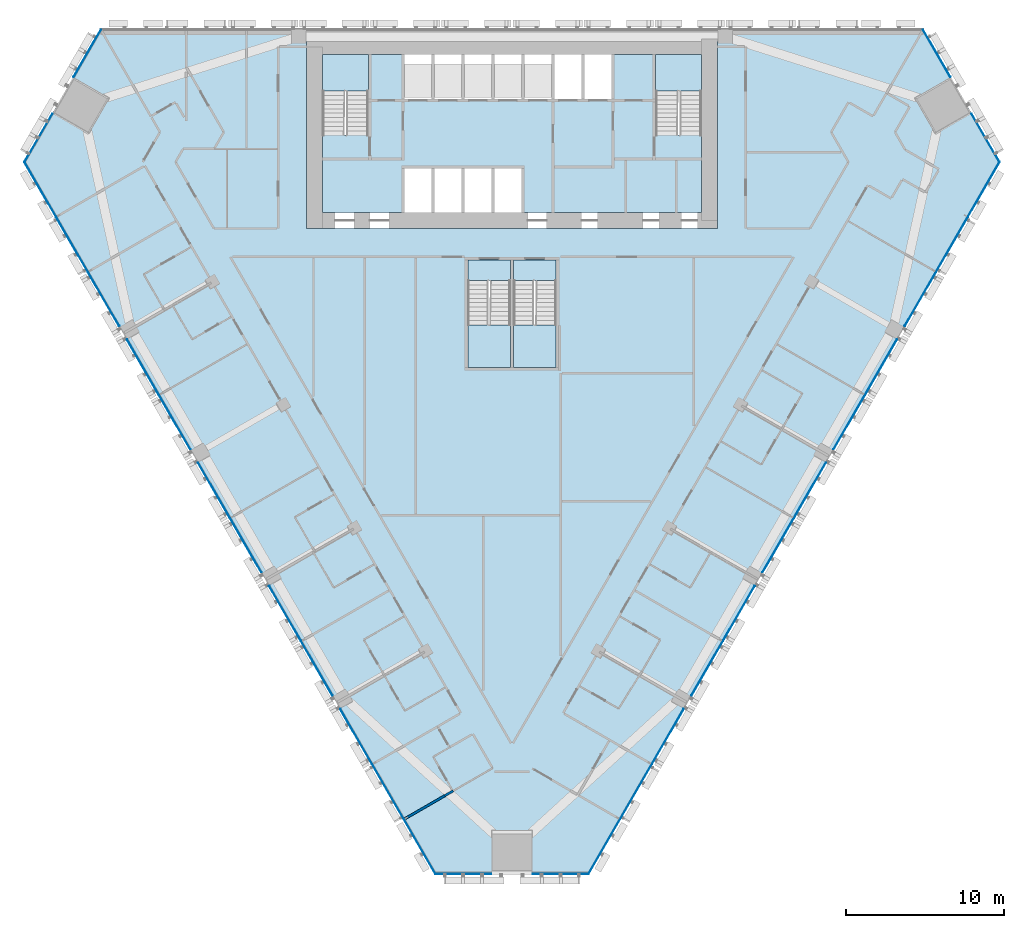
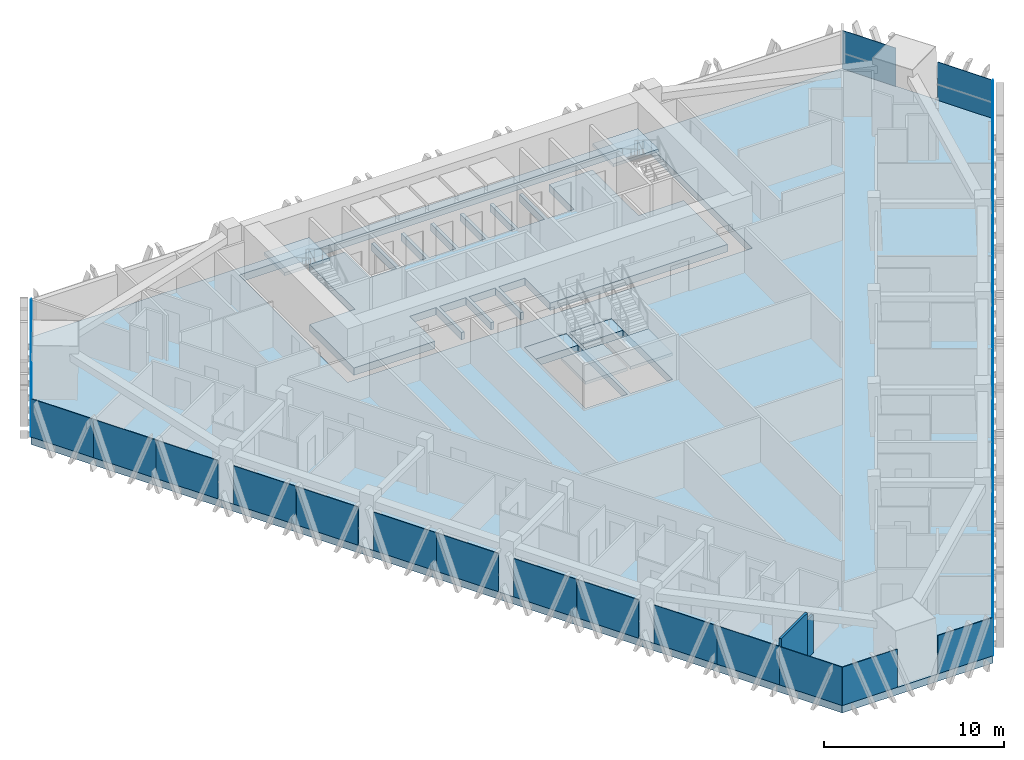
# One storey, part 9 of 18: 30 plates, 8 slabs, 2 walls, 9 elements without a shape of their own.
"""IFC4 building model written with IfcOpenShell, lengths in metres."""

from ifc_helpers import new_model, si_unit, direction, frame, frame_2d, origin, origin_2d, place, context, subcontext, project, spatial, polyline, rectangle, outline, extrude, material, layer, layer_set, type_object, element, aggregate, save


model = new_model("IFC4")

# Units and contexts
model_context = context("Model", 3, precision=1e-05, world=origin(), true_north=direction((0.0, 1.0)))
body_context = subcontext(model_context, "Body", "Model", "MODEL_VIEW")
ifc_project = project(units=[si_unit("LENGTHUNIT", "METRE"), si_unit("AREAUNIT", "SQUARE_METRE"), si_unit("VOLUMEUNIT", "CUBIC_METRE"), si_unit("PLANEANGLEUNIT", "RADIAN"), si_unit("MASSUNIT", "GRAM", prefix="KILO")], contexts=[model_context])

# Site, building, storey
site_placement = place(None, origin())
site = spatial("IfcSite", under=ifc_project, at=site_placement, CompositionType="ELEMENT")
building_placement = place(site_placement, origin())
building = spatial("IfcBuilding", under=site, at=building_placement, Name="Altiplano Prism Tower", CompositionType="ELEMENT")
storey_placement = place(building_placement, frame((0.0, 0.0, 41.39990234375)))
storey = spatial("IfcBuildingStorey", under=building, at=storey_placement, Name="L09", CompositionType="ELEMENT", Elevation=41.39990234375)

# Curtain wall, plates
ifc_material_1 = material(Name="Aluminium and glass", Category="aluminium")
ifc_layer_1 = layer(ifc_material_1, 0.280029296875)
ifc_layer_set_1 = layer_set([ifc_layer_1], Name="Aluminium and glass")
curtain_wall_type = type_object("IfcCurtainWallType", Name="CW1 typical co-living unitised curtain wall", PredefinedType="NOTDEFINED", material=ifc_layer_set_1)
curtain_wall_1_placement = place(storey_placement, origin())
curtain_wall_1 = element("IfcCurtainWall", 1, at=curtain_wall_1_placement, inside=storey, type_object=curtain_wall_type, Name="CW1 curtain wall north-west chamfer L09", PredefinedType="NOTDEFINED")
ifc_material_2 = material(Name="Clear glass", Category="glass")
ifc_layer_2 = layer(ifc_material_2, 0.0400390625)
ifc_layer_set_2 = layer_set([ifc_layer_2], Name="Clear glass")
plate_type = type_object("IfcPlateType", Name="CW1 insulated glass unit 40", PredefinedType="CURTAIN_PANEL", material=ifc_layer_set_2)
plate_1_placement = place(storey_placement, frame((58.10986328125, 103.489013671875, 0.0), z_axis=(0.0, 0.0, 1.0), x_axis=(-0.500000006106, -0.866025400259, 0.0)))
plate_1 = element("IfcPlate", 2, at=plate_1_placement, type_object=plate_type, Name="CW1 panel", PredefinedType="CURTAIN_PANEL", context=body_context, shape_type="SweptSolid", body=[
    extrude(rectangle(XDim=3.4560546875, YDim=0.0400390625, at=origin_2d()), origin(), (0.0, 0.0, 1.0), 2.60009765625),
])
plate_2_placement = place(storey_placement, frame((55.016845703125, 98.1318359375, 0.0), z_axis=(0.0, 0.0, 1.0), x_axis=(-0.500000006106, -0.866025400259, 0.0)))
plate_2 = element("IfcPlate", 3, at=plate_2_placement, type_object=plate_type, Name="CW1 panel", PredefinedType="CURTAIN_PANEL", context=body_context, shape_type="SweptSolid", body=[
    extrude(rectangle(XDim=3.5361328125, YDim=0.0400390625, at=origin_2d()), origin(), (0.0, 0.0, 1.0), 2.60009765625),
])
aggregate(curtain_wall_1, [plate_1, plate_2])

curtain_wall_2_placement = place(storey_placement, origin())
curtain_wall_2 = element("IfcCurtainWall", 4, at=curtain_wall_2_placement, inside=storey, type_object=curtain_wall_type, Name="CW1 curtain wall south-west face L09", PredefinedType="NOTDEFINED")
plate_3_placement = place(storey_placement, frame((55.13525390625, 94.87548828125, 0.0), z_axis=(0.0, 0.0, 1.0), x_axis=(0.500000000348, -0.866025403584, 0.0)))
plate_3 = element("IfcPlate", 5, at=plate_3_placement, type_object=plate_type, Name="CW1 panel", PredefinedType="CURTAIN_PANEL", context=body_context, shape_type="SweptSolid", body=[
    extrude(rectangle(XDim=4.010498046875, YDim=0.0400390625, at=origin_2d()), origin(), (0.0, 0.0, 1.0), 2.60009765625),
])
plate_4_placement = place(storey_placement, frame((57.1455078125, 91.3935546875, 0.0), z_axis=(0.0, 0.0, 1.0), x_axis=(0.500000000348, -0.866025403584, 0.0)))
plate_4 = element("IfcPlate", 6, at=plate_4_placement, type_object=plate_type, Name="CW1 panel", PredefinedType="CURTAIN_PANEL", context=body_context, shape_type="SweptSolid", body=[
    extrude(rectangle(XDim=4.010498046875, YDim=0.0400390625, at=origin_2d()), origin(), (0.0, 0.0, 1.0), 2.60009765625),
])
plate_5_placement = place(storey_placement, frame((59.143310546875, 87.933349609375, 0.0), z_axis=(0.0, 0.0, 1.0), x_axis=(0.500000000348, -0.866025403584, 0.0)))
plate_5 = element("IfcPlate", 7, at=plate_5_placement, type_object=plate_type, Name="CW1 panel", PredefinedType="CURTAIN_PANEL", context=body_context, shape_type="SweptSolid", body=[
    extrude(rectangle(XDim=3.96044921875, YDim=0.0400390625, at=origin_2d()), origin(), (0.0, 0.0, 1.0), 2.60009765625),
])
plate_6_placement = place(storey_placement, frame((61.638427734375, 83.61181640625, 0.0), z_axis=(0.0, 0.0, 1.0), x_axis=(0.500000000348, -0.866025403584, 0.0)))
plate_6 = element("IfcPlate", 8, at=plate_6_placement, type_object=plate_type, Name="CW1 panel", PredefinedType="CURTAIN_PANEL", context=body_context, shape_type="SweptSolid", body=[
    extrude(rectangle(XDim=4.039306640625, YDim=0.0400390625, at=origin_2d()), origin(), (0.0, 0.0, 1.0), 2.60009765625),
])
plate_7_placement = place(storey_placement, frame((63.643310546875, 80.13916015625, 0.0), z_axis=(0.0, 0.0, 1.0), x_axis=(0.500000000348, -0.866025403584, 0.0)))
plate_7 = element("IfcPlate", 9, at=plate_7_placement, type_object=plate_type, Name="CW1 panel", PredefinedType="CURTAIN_PANEL", context=body_context, shape_type="SweptSolid", body=[
    extrude(rectangle(XDim=3.96044921875, YDim=0.0400390625, at=origin_2d()), origin(), (0.0, 0.0, 1.0), 2.60009765625),
])
plate_8_placement = place(storey_placement, frame((66.138427734375, 75.817626953125, 0.0), z_axis=(0.0, 0.0, 1.0), x_axis=(0.500000000348, -0.866025403584, 0.0)))
plate_8 = element("IfcPlate", 10, at=plate_8_placement, type_object=plate_type, Name="CW1 panel", PredefinedType="CURTAIN_PANEL", context=body_context, shape_type="SweptSolid", body=[
    extrude(rectangle(XDim=4.039306640625, YDim=0.0400390625, at=origin_2d()), origin(), (0.0, 0.0, 1.0), 2.60009765625),
])
plate_9_placement = place(storey_placement, frame((68.143310546875, 72.344970703125, 0.0), z_axis=(0.0, 0.0, 1.0), x_axis=(0.500000000348, -0.866025403584, 0.0)))
plate_9 = element("IfcPlate", 11, at=plate_9_placement, type_object=plate_type, Name="CW1 panel", PredefinedType="CURTAIN_PANEL", context=body_context, shape_type="SweptSolid", body=[
    extrude(rectangle(XDim=3.96044921875, YDim=0.0400390625, at=origin_2d()), origin(), (0.0, 0.0, 1.0), 2.60009765625),
])
plate_10_placement = place(storey_placement, frame((70.638427734375, 68.0234375, 0.0), z_axis=(0.0, 0.0, 1.0), x_axis=(0.500000000348, -0.866025403584, 0.0)))
plate_10 = element("IfcPlate", 12, at=plate_10_placement, type_object=plate_type, Name="CW1 panel", PredefinedType="CURTAIN_PANEL", context=body_context, shape_type="SweptSolid", body=[
    extrude(rectangle(XDim=4.039306640625, YDim=0.0400390625, at=origin_2d()), origin(), (0.0, 0.0, 1.0), 2.60009765625),
])
plate_11_placement = place(storey_placement, frame((72.643310546875, 64.55078125, 0.0), z_axis=(0.0, 0.0, 1.0), x_axis=(0.500000000348, -0.866025403584, 0.0)))
plate_11 = element("IfcPlate", 13, at=plate_11_placement, type_object=plate_type, Name="CW1 panel", PredefinedType="CURTAIN_PANEL", context=body_context, shape_type="SweptSolid", body=[
    extrude(rectangle(XDim=3.96044921875, YDim=0.0400390625, at=origin_2d()), origin(), (0.0, 0.0, 1.0), 2.60009765625),
])
plate_12_placement = place(storey_placement, frame((75.138427734375, 60.229248046875, 0.0), z_axis=(0.0, 0.0, 1.0), x_axis=(0.500000000348, -0.866025403584, 0.0)))
plate_12 = element("IfcPlate", 14, at=plate_12_placement, type_object=plate_type, Name="CW1 panel", PredefinedType="CURTAIN_PANEL", context=body_context, shape_type="SweptSolid", body=[
    extrude(rectangle(XDim=4.039306640625, YDim=0.0400390625, at=origin_2d()), origin(), (0.0, 0.0, 1.0), 2.60009765625),
])
plate_13_placement = place(storey_placement, frame((77.15576171875, 56.73486328125, 0.0), z_axis=(0.0, 0.0, 1.0), x_axis=(0.500000000348, -0.866025403584, 0.0)))
plate_13 = element("IfcPlate", 15, at=plate_13_placement, type_object=plate_type, Name="CW1 panel", PredefinedType="CURTAIN_PANEL", context=body_context, shape_type="SweptSolid", body=[
    extrude(rectangle(XDim=4.010498046875, YDim=0.0400390625, at=origin_2d()), origin(), (0.0, 0.0, 1.0), 2.60009765625),
])
plate_14_placement = place(storey_placement, frame((79.166015625, 53.2529296875, 0.0), z_axis=(0.0, 0.0, 1.0), x_axis=(0.500000000348, -0.866025403584, 0.0)))
plate_14 = element("IfcPlate", 16, at=plate_14_placement, type_object=plate_type, Name="CW1 panel", PredefinedType="CURTAIN_PANEL", context=body_context, shape_type="SweptSolid", body=[
    extrude(rectangle(XDim=4.010498046875, YDim=0.0400390625, at=origin_2d()), origin(), (0.0, 0.0, 1.0), 2.60009765625),
])
aggregate(curtain_wall_2, [plate_3, plate_4, plate_5, plate_6, plate_7, plate_8, plate_9, plate_10, plate_11, plate_12, plate_13, plate_14])

curtain_wall_3_placement = place(storey_placement, origin())
curtain_wall_3 = element("IfcCurtainWall", 17, at=curtain_wall_3_placement, inside=storey, type_object=curtain_wall_type, Name="CW1 curtain wall south chamfer L09", PredefinedType="NOTDEFINED")
plate_15_placement = place(storey_placement, frame((81.927001953125, 51.52197265625, 0.0), z_axis=(0.0, 0.0, 1.0), x_axis=(1.0, 0.0, 0.0)))
plate_15 = element("IfcPlate", 18, at=plate_15_placement, type_object=plate_type, Name="CW1 panel", PredefinedType="CURTAIN_PANEL", context=body_context, shape_type="SweptSolid", body=[
    extrude(rectangle(XDim=3.5361328125, YDim=0.0400390625, at=origin_2d()), origin(), (0.0, 0.0, 1.0), 2.60009765625),
])
plate_16_placement = place(storey_placement, frame((88.072998046875, 51.52197265625, 0.0), z_axis=(0.0, 0.0, 1.0), x_axis=(1.0, 0.0, 0.0)))
plate_16 = element("IfcPlate", 19, at=plate_16_placement, type_object=plate_type, Name="CW1 panel", PredefinedType="CURTAIN_PANEL", context=body_context, shape_type="SweptSolid", body=[
    extrude(rectangle(XDim=3.5361328125, YDim=0.0400390625, at=origin_2d()), origin(), (0.0, 0.0, 1.0), 2.60009765625),
])
aggregate(curtain_wall_3, [plate_15, plate_16])

curtain_wall_4_placement = place(storey_placement, origin())
curtain_wall_4 = element("IfcCurtainWall", 20, at=curtain_wall_4_placement, inside=storey, type_object=curtain_wall_type, Name="CW1 curtain wall south-east face L09", PredefinedType="NOTDEFINED")
plate_17_placement = place(storey_placement, frame((90.833984375, 53.2529296875, 0.0), z_axis=(0.0, 0.0, 1.0), x_axis=(0.500000000348, 0.866025403584, 0.0)))
plate_17 = element("IfcPlate", 21, at=plate_17_placement, type_object=plate_type, Name="CW1 panel", PredefinedType="CURTAIN_PANEL", context=body_context, shape_type="SweptSolid", body=[
    extrude(rectangle(XDim=4.010498046875, YDim=0.0400390625, at=origin_2d()), origin(), (0.0, 0.0, 1.0), 2.60009765625),
])
plate_18_placement = place(storey_placement, frame((92.84423828125, 56.73486328125, 0.0), z_axis=(0.0, 0.0, 1.0), x_axis=(0.500000000348, 0.866025403584, 0.0)))
plate_18 = element("IfcPlate", 22, at=plate_18_placement, type_object=plate_type, Name="CW1 panel", PredefinedType="CURTAIN_PANEL", context=body_context, shape_type="SweptSolid", body=[
    extrude(rectangle(XDim=4.010498046875, YDim=0.0400390625, at=origin_2d()), origin(), (0.0, 0.0, 1.0), 2.60009765625),
])
plate_19_placement = place(storey_placement, frame((94.861572265625, 60.229248046875, 0.0), z_axis=(0.0, 0.0, 1.0), x_axis=(0.500000000348, 0.866025403584, 0.0)))
plate_19 = element("IfcPlate", 23, at=plate_19_placement, type_object=plate_type, Name="CW1 panel", PredefinedType="CURTAIN_PANEL", context=body_context, shape_type="SweptSolid", body=[
    extrude(rectangle(XDim=4.039306640625, YDim=0.0400390625, at=origin_2d()), origin(), (0.0, 0.0, 1.0), 2.60009765625),
])
plate_20_placement = place(storey_placement, frame((97.356689453125, 64.55078125, 0.0), z_axis=(0.0, 0.0, 1.0), x_axis=(0.500000000348, 0.866025403584, 0.0)))
plate_20 = element("IfcPlate", 24, at=plate_20_placement, type_object=plate_type, Name="CW1 panel", PredefinedType="CURTAIN_PANEL", context=body_context, shape_type="SweptSolid", body=[
    extrude(rectangle(XDim=3.96044921875, YDim=0.0400390625, at=origin_2d()), origin(), (0.0, 0.0, 1.0), 2.60009765625),
])
plate_21_placement = place(storey_placement, frame((99.361572265625, 68.0234375, 0.0), z_axis=(0.0, 0.0, 1.0), x_axis=(0.500000000348, 0.866025403584, 0.0)))
plate_21 = element("IfcPlate", 25, at=plate_21_placement, type_object=plate_type, Name="CW1 panel", PredefinedType="CURTAIN_PANEL", context=body_context, shape_type="SweptSolid", body=[
    extrude(rectangle(XDim=4.039306640625, YDim=0.0400390625, at=origin_2d()), origin(), (0.0, 0.0, 1.0), 2.60009765625),
])
plate_22_placement = place(storey_placement, frame((101.856689453125, 72.344970703125, 0.0), z_axis=(0.0, 0.0, 1.0), x_axis=(0.500000000348, 0.866025403584, 0.0)))
plate_22 = element("IfcPlate", 26, at=plate_22_placement, type_object=plate_type, Name="CW1 panel", PredefinedType="CURTAIN_PANEL", context=body_context, shape_type="SweptSolid", body=[
    extrude(rectangle(XDim=3.96044921875, YDim=0.0400390625, at=origin_2d()), origin(), (0.0, 0.0, 1.0), 2.60009765625),
])
plate_23_placement = place(storey_placement, frame((103.861572265625, 75.817626953125, 0.0), z_axis=(0.0, 0.0, 1.0), x_axis=(0.500000000348, 0.866025403584, 0.0)))
plate_23 = element("IfcPlate", 27, at=plate_23_placement, type_object=plate_type, Name="CW1 panel", PredefinedType="CURTAIN_PANEL", context=body_context, shape_type="SweptSolid", body=[
    extrude(rectangle(XDim=4.039306640625, YDim=0.0400390625, at=origin_2d()), origin(), (0.0, 0.0, 1.0), 2.60009765625),
])
plate_24_placement = place(storey_placement, frame((106.356689453125, 80.13916015625, 0.0), z_axis=(0.0, 0.0, 1.0), x_axis=(0.500000000348, 0.866025403584, 0.0)))
plate_24 = element("IfcPlate", 28, at=plate_24_placement, type_object=plate_type, Name="CW1 panel", PredefinedType="CURTAIN_PANEL", context=body_context, shape_type="SweptSolid", body=[
    extrude(rectangle(XDim=3.96044921875, YDim=0.0400390625, at=origin_2d()), origin(), (0.0, 0.0, 1.0), 2.60009765625),
])
plate_25_placement = place(storey_placement, frame((108.361572265625, 83.61181640625, 0.0), z_axis=(0.0, 0.0, 1.0), x_axis=(0.500000000348, 0.866025403584, 0.0)))
plate_25 = element("IfcPlate", 29, at=plate_25_placement, type_object=plate_type, Name="CW1 panel", PredefinedType="CURTAIN_PANEL", context=body_context, shape_type="SweptSolid", body=[
    extrude(rectangle(XDim=4.039306640625, YDim=0.0400390625, at=origin_2d()), origin(), (0.0, 0.0, 1.0), 2.60009765625),
])
plate_26_placement = place(storey_placement, frame((110.856689453125, 87.933349609375, 0.0), z_axis=(0.0, 0.0, 1.0), x_axis=(0.500000000348, 0.866025403584, 0.0)))
plate_26 = element("IfcPlate", 30, at=plate_26_placement, type_object=plate_type, Name="CW1 panel", PredefinedType="CURTAIN_PANEL", context=body_context, shape_type="SweptSolid", body=[
    extrude(rectangle(XDim=3.96044921875, YDim=0.0400390625, at=origin_2d()), origin(), (0.0, 0.0, 1.0), 2.60009765625),
])
plate_27_placement = place(storey_placement, frame((112.8544921875, 91.3935546875, 0.0), z_axis=(0.0, 0.0, 1.0), x_axis=(0.500000000348, 0.866025403584, 0.0)))
plate_27 = element("IfcPlate", 31, at=plate_27_placement, type_object=plate_type, Name="CW1 panel", PredefinedType="CURTAIN_PANEL", context=body_context, shape_type="SweptSolid", body=[
    extrude(rectangle(XDim=4.010498046875, YDim=0.0400390625, at=origin_2d()), origin(), (0.0, 0.0, 1.0), 2.60009765625),
])
plate_28_placement = place(storey_placement, frame((114.86474609375, 94.87548828125, 0.0), z_axis=(0.0, 0.0, 1.0), x_axis=(0.500000000348, 0.866025403584, 0.0)))
plate_28 = element("IfcPlate", 32, at=plate_28_placement, type_object=plate_type, Name="CW1 panel", PredefinedType="CURTAIN_PANEL", context=body_context, shape_type="SweptSolid", body=[
    extrude(rectangle(XDim=4.010498046875, YDim=0.0400390625, at=origin_2d()), origin(), (0.0, 0.0, 1.0), 2.60009765625),
])
aggregate(curtain_wall_4, [plate_17, plate_18, plate_19, plate_20, plate_21, plate_22, plate_23, plate_24, plate_25, plate_26, plate_27, plate_28])

curtain_wall_5_placement = place(storey_placement, origin())
curtain_wall_5 = element("IfcCurtainWall", 33, at=curtain_wall_5_placement, inside=storey, type_object=curtain_wall_type, Name="CW1 curtain wall north-east chamfer L09", PredefinedType="NOTDEFINED")
plate_29_placement = place(storey_placement, frame((114.983154296875, 98.1318359375, 0.0), z_axis=(0.0, 0.0, 1.0), x_axis=(-0.500000006106, 0.866025400259, 0.0)))
plate_29 = element("IfcPlate", 34, at=plate_29_placement, type_object=plate_type, Name="CW1 panel", PredefinedType="CURTAIN_PANEL", context=body_context, shape_type="SweptSolid", body=[
    extrude(rectangle(XDim=3.5361328125, YDim=0.0400390625, at=origin_2d()), origin(), (0.0, 0.0, 1.0), 2.60009765625),
])
plate_30_placement = place(storey_placement, frame((111.89013671875, 103.489013671875, 0.0), z_axis=(0.0, 0.0, 1.0), x_axis=(-0.500000006106, 0.866025400259, 0.0)))
plate_30 = element("IfcPlate", 35, at=plate_30_placement, type_object=plate_type, Name="CW1 panel", PredefinedType="CURTAIN_PANEL", context=body_context, shape_type="SweptSolid", body=[
    extrude(rectangle(XDim=3.4560546875, YDim=0.0400390625, at=origin_2d()), origin(), (0.0, 0.0, 1.0), 2.60009765625),
])
aggregate(curtain_wall_5, [plate_29, plate_30])

# Slabs
ifc_material_3 = material(Name="Concrete C40/50", Category="concrete")
ifc_layer_3 = layer(ifc_material_3, 0.5)
ifc_layer_set_3 = layer_set([ifc_layer_3], Name="Concrete C40/50")
slab_type_1 = type_object("IfcSlabType", Name="Core floor slab 500", PredefinedType="FLOOR", material=ifc_layer_set_3)
slab_1_placement = place(storey_placement, frame((0.0, 0.0, -0.5)))
element("IfcSlab", 36, at=slab_1_placement, inside=storey, type_object=slab_type_1, Name="Core floor slab L09", PredefinedType="FLOOR", context=body_context, shape_type="SweptSolid", body=[
    extrude(outline(polyline([(97.0, 98.31005859375), (94.10009765625, 98.31005859375), (94.10009765625, 103.39990234375), (91.300048828125, 103.39990234375), (91.300048828125, 100.60009765625), (89.60009765625, 100.60009765625), (89.60009765625, 103.39990234375), (89.39990234375, 103.39990234375), (89.39990234375, 100.60009765625), (87.699951171875, 100.60009765625), (87.699951171875, 103.39990234375), (87.5, 103.39990234375), (87.5, 100.60009765625), (85.800048828125, 100.60009765625), (85.800048828125, 103.39990234375), (85.60009765625, 103.39990234375), (85.60009765625, 100.60009765625), (83.89990234375, 100.60009765625), (83.89990234375, 103.39990234375), (83.699951171875, 103.39990234375), (83.699951171875, 100.60009765625), (82.0, 100.60009765625), (82.0, 103.39990234375), (81.800048828125, 103.39990234375), (81.800048828125, 100.60009765625), (80.10009765625, 100.60009765625), (80.10009765625, 103.39990234375), (79.89990234375, 103.39990234375), (79.89990234375, 100.60009765625), (78.199951171875, 100.60009765625), (78.199951171875, 103.39990234375), (75.89990234375, 103.39990234375), (75.89990234375, 98.31005859375), (73.0, 98.31005859375), (73.0, 93.39990234375), (78.199951171875, 93.39990234375), (78.199951171875, 96.199951171875), (79.89990234375, 96.199951171875), (79.89990234375, 93.39990234375), (80.10009765625, 93.39990234375), (80.10009765625, 96.199951171875), (81.800048828125, 96.199951171875), (81.800048828125, 93.39990234375), (82.0, 93.39990234375), (82.0, 96.199951171875), (83.699951171875, 96.199951171875), (83.699951171875, 93.39990234375), (83.89990234375, 93.39990234375), (83.89990234375, 96.199951171875), (85.60009765625, 96.199951171875), (85.60009765625, 93.39990234375), (97.0, 93.39990234375), (97.0, 98.31005859375)])), origin(), (0.0, 0.0, 1.0), 0.5),
])
slab_2_placement = place(storey_placement, frame((0.0, 0.0, -0.5)))
element("IfcSlab", 37, at=slab_2_placement, inside=storey, type_object=slab_type_1, Name="Stair 3A landing slab L09", PredefinedType="FLOOR", context=body_context, shape_type="SweptSolid", body=[
    extrude(outline(polyline([(82.199951171875, 89.096923828125), (84.89990234375, 89.096923828125), (84.89990234375, 90.39990234375), (82.199951171875, 90.39990234375), (82.199951171875, 89.096923828125)])), origin(), (0.0, 0.0, 1.0), 0.5),
])
slab_3_placement = place(storey_placement, frame((0.0, 0.0, -0.5)))
element("IfcSlab", 38, at=slab_3_placement, inside=storey, type_object=slab_type_1, Name="Stair 3B landing slab L09", PredefinedType="FLOOR", context=body_context, shape_type="SweptSolid", body=[
    extrude(outline(polyline([(85.10009765625, 89.096923828125), (87.800048828125, 89.096923828125), (87.800048828125, 90.39990234375), (85.10009765625, 90.39990234375), (85.10009765625, 89.096923828125)])), origin(), (0.0, 0.0, 1.0), 0.5),
])
ifc_layer_4 = layer(ifc_material_3, 0.5)
ifc_layer_set_4 = layer_set([ifc_layer_4], Name="Concrete C40/50")
slab_type_2 = type_object("IfcSlabType", Name="Post-tensioned flat slab 500", PredefinedType="FLOOR", material=ifc_layer_set_4)
slab_4_placement = place(storey_placement, frame((0.0, 0.0, -0.5)))
element("IfcSlab", 39, at=slab_4_placement, inside=storey, type_object=slab_type_2, Name="Floor slab L09", PredefinedType="FLOOR", context=body_context, shape_type="SweptSolid", body=[
    extrude(outline(polyline([(80.154052734375, 51.501953125), (54.11279296875, 96.6064453125), (58.958984375, 105.0), (111.041015625, 105.0), (115.88720703125, 96.6064453125), (89.845947265625, 51.501953125), (80.154052734375, 51.501953125)]), holes=[polyline([(72.0, 104.39990234375), (72.0, 92.39990234375), (98.0, 92.39990234375), (98.0, 104.39990234375), (72.0, 104.39990234375)]), polyline([(84.89990234375, 90.39990234375), (82.199951171875, 90.39990234375), (82.199951171875, 83.60009765625), (84.89990234375, 83.60009765625), (84.89990234375, 90.39990234375)]), polyline([(87.800048828125, 83.60009765625), (87.800048828125, 90.39990234375), (85.10009765625, 90.39990234375), (85.10009765625, 83.60009765625), (87.800048828125, 83.60009765625)])]), origin(), (0.0, 0.0, 1.0), 0.5),
])

# Stair, slab
stair_type_1 = type_object("IfcStairType", Name="Exit stair 1400", PredefinedType="HALF_TURN_STAIR", material=ifc_material_3)
stair_1_placement = place(storey_placement, origin())
stair_1 = element("IfcStair", 40, at=stair_1_placement, inside=storey, type_object=stair_type_1, Name="L09 Exit Stair 1", PredefinedType="HALF_TURN_STAIR")
ifc_layer_5 = layer(ifc_material_3, 0.199951171875)
ifc_layer_set_5 = layer_set([ifc_layer_5], Name="Concrete C40/50")
slab_type_3 = type_object("IfcSlabType", Name="Stair landing 200", PredefinedType="LANDING", material=ifc_layer_set_5)
slab_5_placement = place(storey_placement, frame((0.0, 0.0, 1.60009765625)))
slab_5 = element("IfcSlab", 41, at=slab_5_placement, type_object=slab_type_3, Name="ST1 landing 1", PredefinedType="LANDING", context=body_context, shape_type="SweptSolid", body=[
    extrude(outline(polyline([(75.89990234375, 101.096923828125), (75.89990234375, 103.39990234375), (73.0, 103.39990234375), (73.0, 101.096923828125), (75.89990234375, 101.096923828125)])), origin(), (0.0, 0.0, 1.0), 0.199951171875),
])
aggregate(stair_1, [slab_5])

stair_2_placement = place(storey_placement, origin())
stair_2 = element("IfcStair", 42, at=stair_2_placement, inside=storey, type_object=stair_type_1, Name="L09 Exit Stair 2", PredefinedType="HALF_TURN_STAIR")
slab_6_placement = place(storey_placement, frame((0.0, 0.0, 1.60009765625)))
slab_6 = element("IfcSlab", 43, at=slab_6_placement, type_object=slab_type_3, Name="ST2 landing 1", PredefinedType="LANDING", context=body_context, shape_type="SweptSolid", body=[
    extrude(outline(polyline([(97.0, 101.096923828125), (97.0, 103.39990234375), (94.10009765625, 103.39990234375), (94.10009765625, 101.096923828125), (97.0, 101.096923828125)])), origin(), (0.0, 0.0, 1.0), 0.199951171875),
])
aggregate(stair_2, [slab_6])

stair_type_2 = type_object("IfcStairType", Name="Exit stair 1300", PredefinedType="HALF_TURN_STAIR", material=ifc_material_3)
stair_3_placement = place(storey_placement, origin())
stair_3 = element("IfcStair", 44, at=stair_3_placement, inside=storey, type_object=stair_type_2, Name="L09 Exit Stair 3A", PredefinedType="HALF_TURN_STAIR")
slab_7_placement = place(storey_placement, frame((0.0, 0.0, 1.60009765625)))
slab_7 = element("IfcSlab", 45, at=slab_7_placement, type_object=slab_type_3, Name="ST3A landing 1", PredefinedType="LANDING", context=body_context, shape_type="SweptSolid", body=[
    extrude(outline(polyline([(82.199951171875, 86.302978515625), (82.199951171875, 83.60009765625), (84.89990234375, 83.60009765625), (84.89990234375, 86.302978515625), (82.199951171875, 86.302978515625)])), origin(), (0.0, 0.0, 1.0), 0.199951171875),
])
aggregate(stair_3, [slab_7])

stair_4_placement = place(storey_placement, origin())
stair_4 = element("IfcStair", 46, at=stair_4_placement, inside=storey, type_object=stair_type_2, Name="L09 Exit Stair 3B", PredefinedType="HALF_TURN_STAIR")
slab_8_placement = place(storey_placement, frame((0.0, 0.0, 1.60009765625)))
slab_8 = element("IfcSlab", 47, at=slab_8_placement, type_object=slab_type_3, Name="ST3B landing 1", PredefinedType="LANDING", context=body_context, shape_type="SweptSolid", body=[
    extrude(outline(polyline([(85.10009765625, 86.302978515625), (85.10009765625, 83.60009765625), (87.800048828125, 83.60009765625), (87.800048828125, 86.302978515625), (85.10009765625, 86.302978515625)])), origin(), (0.0, 0.0, 1.0), 0.199951171875),
])
aggregate(stair_4, [slab_8])

# Walls
ifc_material_4 = material(Name="Plasterboard on steel stud", Category="steel")
ifc_layer_6 = layer(ifc_material_4, 0.14990234375)
ifc_layer_set_6 = layer_set([ifc_layer_6], Name="Plasterboard on steel stud")
wall_type = type_object("IfcWallType", Name="Partition 150 party", PredefinedType="PARTITIONING", material=ifc_layer_set_6)
wall_1_placement = place(storey_placement, frame((78.212890625, 55.023681640625, 0.0), z_axis=(0.0, 0.0, 1.0), x_axis=(0.866010648346, 0.500025556299, 0.0)))
element("IfcWall", 48, at=wall_1_placement, inside=storey, type_object=wall_type, Name="Partition P01 L09 080", PredefinedType="PARTITIONING", context=body_context, shape_type="SweptSolid", body=[
    extrude(rectangle(XDim=2.905029296875, YDim=0.14990234375, at=frame_2d((1.45263671875, 0.0))), origin(), (0.0, 0.0, 1.0), 3.10009765625),
])
wall_2_placement = place(storey_placement, frame((80.728759765625, 56.476318359375, 0.0), z_axis=(0.0, 0.0, 1.0), x_axis=(0.865987146695, 0.500066257368, 0.0)))
element("IfcWall", 49, at=wall_2_placement, inside=storey, type_object=wall_type, Name="Partition P01 L09 081", PredefinedType="PARTITIONING", context=body_context, shape_type="SweptSolid", body=[
    extrude(rectangle(XDim=0.63525390625, YDim=0.14990234375, at=frame_2d((0.317626953125, 0.0))), origin(), (0.0, 0.0, 1.0), 2.60009765625),
])

save(model, "model.ifc")
